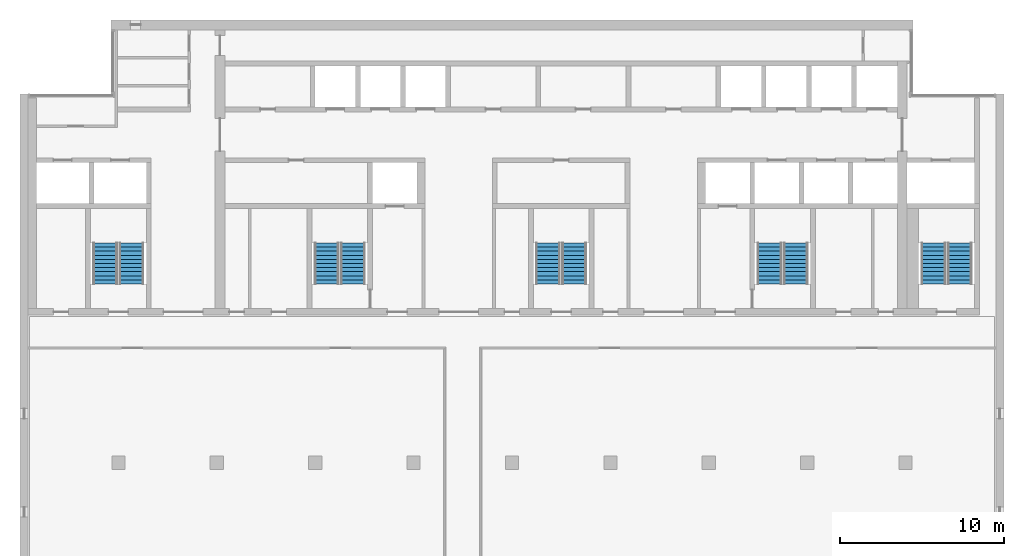
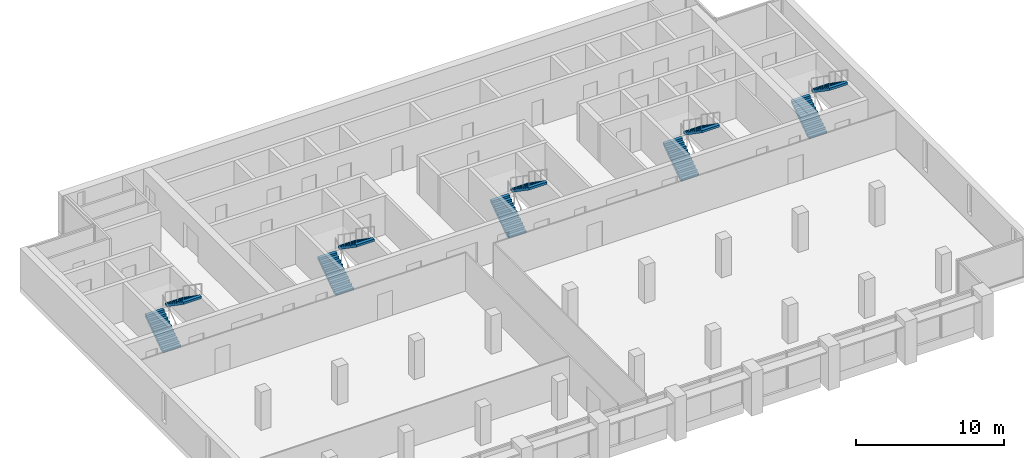
# One storey, part 12 of 14: 10 stair flights, 5 elements without a shape of their own.
"""IFC4 building model written with IfcOpenShell, lengths in metres."""

from ifc_helpers import new_model, si_unit, direction, frame, origin, place, context, subcontext, project, spatial, polyline, outline, extrude, material, type_object, element, aggregate, save


model = new_model("IFC4")

# Units and contexts
model_context = context("Model", 3, precision=1e-05, world=origin(), true_north=direction((0.0, 1.0)))
body_context = subcontext(model_context, "Body", "Model", "MODEL_VIEW")
ifc_project = project(units=[si_unit("LENGTHUNIT", "METRE"), si_unit("AREAUNIT", "SQUARE_METRE"), si_unit("VOLUMEUNIT", "CUBIC_METRE"), si_unit("PLANEANGLEUNIT", "RADIAN"), si_unit("MASSUNIT", "GRAM", prefix="KILO")], contexts=[model_context])

# Site, building, storey
site_placement = place(None, origin())
site = spatial("IfcSite", under=ifc_project, at=site_placement, CompositionType="ELEMENT")
building_placement = place(site_placement, origin())
building = spatial("IfcBuilding", under=site, at=building_placement, Name="Calvaro Tower", CompositionType="ELEMENT")
storey_placement = place(building_placement, frame((0.0, 0.0, 262.14990234375)))
storey = spatial("IfcBuildingStorey", under=building, at=storey_placement, Name="L66", CompositionType="ELEMENT", Elevation=262.14990234375)

# Stair, stair flights
ifc_material_1 = material(Name="Concrete C40/50", Category="concrete")
stair_type = type_object("IfcStairType", Name="Exit stair 1400 2 flights", PredefinedType="HALF_TURN_STAIR", material=ifc_material_1)
stair_1_placement = place(storey_placement, origin())
stair_1 = element("IfcStair", 1, at=stair_1_placement, inside=storey, type_object=stair_type, Name="Exit stair S1", PredefinedType="HALF_TURN_STAIR")
ifc_material_2 = material(Name="Concrete C40/50", Category="concrete")
stair_flight_type = type_object("IfcStairFlightType", Name="Stair flight", PredefinedType="STRAIGHT", material=ifc_material_2)
stair_flight_1_placement = place(storey_placement, frame((11.199951171875, 29.89990234375, 0.0), z_axis=(0.0, 0.0, 1.0), x_axis=(0.0, 1.0, 0.0)))
stair_flight_1 = element("IfcStairFlight", 2, at=stair_flight_1_placement, type_object=stair_flight_type, Name="Exit stair 1, flight 1", NumberOfRisers=11, NumberOfTreads=10, PredefinedType="STRAIGHT", RiserHeight=0.172727273, TreadLength=0.25, context=body_context, shape_type="SweptSolid", body=[
    extrude(outline(polyline([(0.0, 0.0), (0.0, 0.172607421875), (0.25, 0.172607421875), (0.25, 0.345458984375), (0.5, 0.345458984375), (0.5, 0.51806640625), (0.75, 0.51806640625), (0.75, 0.69091796875), (1.0, 0.69091796875), (1.0, 0.863525390625), (1.25, 0.863525390625), (1.25, 1.036376953125), (1.5, 1.036376953125), (1.5, 1.208984375), (1.75, 1.208984375), (1.75, 1.3818359375), (2.0, 1.3818359375), (2.0, 1.554443359375), (2.25, 1.554443359375), (2.25, 1.727294921875), (2.5, 1.727294921875), (2.5, 1.89990234375), (2.5, 1.545166015625), (0.263671875, 0.0), (0.0, 0.0)])), frame((0.0, 0.699951171875, 0.0), z_axis=(0.0, -1.0, 0.0), x_axis=(1.0, 0.0, 0.0)), (0.0, 0.0, 1.0), 1.39990234375),
])
stair_flight_2_placement = place(storey_placement, frame((12.800048828125, 32.39990234375, 1.900146484375), z_axis=(0.0, 0.0, 1.0), x_axis=(0.0, -1.0, 0.0)))
stair_flight_2 = element("IfcStairFlight", 3, at=stair_flight_2_placement, type_object=stair_flight_type, Name="Exit stair 1, flight 2", NumberOfRisers=11, NumberOfTreads=10, PredefinedType="STRAIGHT", RiserHeight=0.172727273, TreadLength=0.25, context=body_context, shape_type="SweptSolid", body=[
    extrude(outline(polyline([(0.0, 0.0), (0.0, 0.172607421875), (0.25, 0.172607421875), (0.25, 0.345458984375), (0.5, 0.345458984375), (0.5, 0.51806640625), (0.75, 0.51806640625), (0.75, 0.69091796875), (1.0, 0.69091796875), (1.0, 0.863525390625), (1.25, 0.863525390625), (1.25, 1.036376953125), (1.5, 1.036376953125), (1.5, 1.208984375), (1.75, 1.208984375), (1.75, 1.3818359375), (2.0, 1.3818359375), (2.0, 1.554443359375), (2.25, 1.554443359375), (2.25, 1.727294921875), (2.5, 1.727294921875), (2.5, 1.89990234375), (2.5, 1.545166015625), (0.263671875, 0.0), (0.0, 0.0)])), frame((0.0, 0.699951171875, 0.0), z_axis=(0.0, -1.0, 0.0), x_axis=(1.0, 0.0, 0.0)), (0.0, 0.0, 1.0), 1.39990234375),
])
aggregate(stair_1, [stair_flight_1, stair_flight_2])

stair_2_placement = place(storey_placement, origin())
stair_2 = element("IfcStair", 4, at=stair_2_placement, inside=storey, type_object=stair_type, Name="Exit stair S2", PredefinedType="HALF_TURN_STAIR")
stair_flight_3_placement = place(storey_placement, frame((24.699951171875, 29.89990234375, 0.0), z_axis=(0.0, 0.0, 1.0), x_axis=(0.0, 1.0, 0.0)))
stair_flight_3 = element("IfcStairFlight", 5, at=stair_flight_3_placement, type_object=stair_flight_type, Name="Exit stair 2, flight 1", NumberOfRisers=11, NumberOfTreads=10, PredefinedType="STRAIGHT", RiserHeight=0.172727273, TreadLength=0.25, context=body_context, shape_type="SweptSolid", body=[
    extrude(outline(polyline([(0.0, 0.0), (0.0, 0.172607421875), (0.25, 0.172607421875), (0.25, 0.345458984375), (0.5, 0.345458984375), (0.5, 0.51806640625), (0.75, 0.51806640625), (0.75, 0.69091796875), (1.0, 0.69091796875), (1.0, 0.863525390625), (1.25, 0.863525390625), (1.25, 1.036376953125), (1.5, 1.036376953125), (1.5, 1.208984375), (1.75, 1.208984375), (1.75, 1.3818359375), (2.0, 1.3818359375), (2.0, 1.554443359375), (2.25, 1.554443359375), (2.25, 1.727294921875), (2.5, 1.727294921875), (2.5, 1.89990234375), (2.5, 1.545166015625), (0.263671875, 0.0), (0.0, 0.0)])), frame((0.0, 0.699951171875, 0.0), z_axis=(0.0, -1.0, 0.0), x_axis=(1.0, 0.0, 0.0)), (0.0, 0.0, 1.0), 1.39990234375),
])
stair_flight_4_placement = place(storey_placement, frame((26.300048828125, 32.39990234375, 1.900146484375), z_axis=(0.0, 0.0, 1.0), x_axis=(0.0, -1.0, 0.0)))
stair_flight_4 = element("IfcStairFlight", 6, at=stair_flight_4_placement, type_object=stair_flight_type, Name="Exit stair 2, flight 2", NumberOfRisers=11, NumberOfTreads=10, PredefinedType="STRAIGHT", RiserHeight=0.172727273, TreadLength=0.25, context=body_context, shape_type="SweptSolid", body=[
    extrude(outline(polyline([(0.0, 0.0), (0.0, 0.172607421875), (0.25, 0.172607421875), (0.25, 0.345458984375), (0.5, 0.345458984375), (0.5, 0.51806640625), (0.75, 0.51806640625), (0.75, 0.69091796875), (1.0, 0.69091796875), (1.0, 0.863525390625), (1.25, 0.863525390625), (1.25, 1.036376953125), (1.5, 1.036376953125), (1.5, 1.208984375), (1.75, 1.208984375), (1.75, 1.3818359375), (2.0, 1.3818359375), (2.0, 1.554443359375), (2.25, 1.554443359375), (2.25, 1.727294921875), (2.5, 1.727294921875), (2.5, 1.89990234375), (2.5, 1.545166015625), (0.263671875, 0.0), (0.0, 0.0)])), frame((0.0, 0.699951171875, 0.0), z_axis=(0.0, -1.0, 0.0), x_axis=(1.0, 0.0, 0.0)), (0.0, 0.0, 1.0), 1.39990234375),
])
aggregate(stair_2, [stair_flight_3, stair_flight_4])

stair_3_placement = place(storey_placement, origin())
stair_3 = element("IfcStair", 7, at=stair_3_placement, inside=storey, type_object=stair_type, Name="Exit stair S3", PredefinedType="HALF_TURN_STAIR")
stair_flight_5_placement = place(storey_placement, frame((38.199951171875, 29.89990234375, 0.0), z_axis=(0.0, 0.0, 1.0), x_axis=(0.0, 1.0, 0.0)))
stair_flight_5 = element("IfcStairFlight", 8, at=stair_flight_5_placement, type_object=stair_flight_type, Name="Exit stair 3, flight 1", NumberOfRisers=11, NumberOfTreads=10, PredefinedType="STRAIGHT", RiserHeight=0.172727273, TreadLength=0.25, context=body_context, shape_type="SweptSolid", body=[
    extrude(outline(polyline([(0.0, 0.0), (0.0, 0.172607421875), (0.25, 0.172607421875), (0.25, 0.345458984375), (0.5, 0.345458984375), (0.5, 0.51806640625), (0.75, 0.51806640625), (0.75, 0.69091796875), (1.0, 0.69091796875), (1.0, 0.863525390625), (1.25, 0.863525390625), (1.25, 1.036376953125), (1.5, 1.036376953125), (1.5, 1.208984375), (1.75, 1.208984375), (1.75, 1.3818359375), (2.0, 1.3818359375), (2.0, 1.554443359375), (2.25, 1.554443359375), (2.25, 1.727294921875), (2.5, 1.727294921875), (2.5, 1.89990234375), (2.5, 1.545166015625), (0.263671875, 0.0), (0.0, 0.0)])), frame((0.0, 0.699951171875, 0.0), z_axis=(0.0, -1.0, 0.0), x_axis=(1.0, 0.0, 0.0)), (0.0, 0.0, 1.0), 1.39990234375),
])
stair_flight_6_placement = place(storey_placement, frame((39.800048828125, 32.39990234375, 1.900146484375), z_axis=(0.0, 0.0, 1.0), x_axis=(0.0, -1.0, 0.0)))
stair_flight_6 = element("IfcStairFlight", 9, at=stair_flight_6_placement, type_object=stair_flight_type, Name="Exit stair 3, flight 2", NumberOfRisers=11, NumberOfTreads=10, PredefinedType="STRAIGHT", RiserHeight=0.172727273, TreadLength=0.25, context=body_context, shape_type="SweptSolid", body=[
    extrude(outline(polyline([(0.0, 0.0), (0.0, 0.172607421875), (0.25, 0.172607421875), (0.25, 0.345458984375), (0.5, 0.345458984375), (0.5, 0.51806640625), (0.75, 0.51806640625), (0.75, 0.69091796875), (1.0, 0.69091796875), (1.0, 0.863525390625), (1.25, 0.863525390625), (1.25, 1.036376953125), (1.5, 1.036376953125), (1.5, 1.208984375), (1.75, 1.208984375), (1.75, 1.3818359375), (2.0, 1.3818359375), (2.0, 1.554443359375), (2.25, 1.554443359375), (2.25, 1.727294921875), (2.5, 1.727294921875), (2.5, 1.89990234375), (2.5, 1.545166015625), (0.263671875, 0.0), (0.0, 0.0)])), frame((0.0, 0.699951171875, 0.0), z_axis=(0.0, -1.0, 0.0), x_axis=(1.0, 0.0, 0.0)), (0.0, 0.0, 1.0), 1.39990234375),
])
aggregate(stair_3, [stair_flight_5, stair_flight_6])

stair_4_placement = place(storey_placement, origin())
stair_4 = element("IfcStair", 10, at=stair_4_placement, inside=storey, type_object=stair_type, Name="Exit stair S4", PredefinedType="HALF_TURN_STAIR")
stair_flight_7_placement = place(storey_placement, frame((51.699951171875, 29.89990234375, 0.0), z_axis=(0.0, 0.0, 1.0), x_axis=(0.0, 1.0, 0.0)))
stair_flight_7 = element("IfcStairFlight", 11, at=stair_flight_7_placement, type_object=stair_flight_type, Name="Exit stair 4, flight 1", NumberOfRisers=11, NumberOfTreads=10, PredefinedType="STRAIGHT", RiserHeight=0.172727273, TreadLength=0.25, context=body_context, shape_type="SweptSolid", body=[
    extrude(outline(polyline([(0.0, 0.0), (0.0, 0.172607421875), (0.25, 0.172607421875), (0.25, 0.345458984375), (0.5, 0.345458984375), (0.5, 0.51806640625), (0.75, 0.51806640625), (0.75, 0.69091796875), (1.0, 0.69091796875), (1.0, 0.863525390625), (1.25, 0.863525390625), (1.25, 1.036376953125), (1.5, 1.036376953125), (1.5, 1.208984375), (1.75, 1.208984375), (1.75, 1.3818359375), (2.0, 1.3818359375), (2.0, 1.554443359375), (2.25, 1.554443359375), (2.25, 1.727294921875), (2.5, 1.727294921875), (2.5, 1.89990234375), (2.5, 1.545166015625), (0.263671875, 0.0), (0.0, 0.0)])), frame((0.0, 0.699951171875, 0.0), z_axis=(0.0, -1.0, 0.0), x_axis=(1.0, 0.0, 0.0)), (0.0, 0.0, 1.0), 1.39990234375),
])
stair_flight_8_placement = place(storey_placement, frame((53.300048828125, 32.39990234375, 1.900146484375), z_axis=(0.0, 0.0, 1.0), x_axis=(0.0, -1.0, 0.0)))
stair_flight_8 = element("IfcStairFlight", 12, at=stair_flight_8_placement, type_object=stair_flight_type, Name="Exit stair 4, flight 2", NumberOfRisers=11, NumberOfTreads=10, PredefinedType="STRAIGHT", RiserHeight=0.172727273, TreadLength=0.25, context=body_context, shape_type="SweptSolid", body=[
    extrude(outline(polyline([(0.0, 0.0), (0.0, 0.172607421875), (0.25, 0.172607421875), (0.25, 0.345458984375), (0.5, 0.345458984375), (0.5, 0.51806640625), (0.75, 0.51806640625), (0.75, 0.69091796875), (1.0, 0.69091796875), (1.0, 0.863525390625), (1.25, 0.863525390625), (1.25, 1.036376953125), (1.5, 1.036376953125), (1.5, 1.208984375), (1.75, 1.208984375), (1.75, 1.3818359375), (2.0, 1.3818359375), (2.0, 1.554443359375), (2.25, 1.554443359375), (2.25, 1.727294921875), (2.5, 1.727294921875), (2.5, 1.89990234375), (2.5, 1.545166015625), (0.263671875, 0.0), (0.0, 0.0)])), frame((0.0, 0.699951171875, 0.0), z_axis=(0.0, -1.0, 0.0), x_axis=(1.0, 0.0, 0.0)), (0.0, 0.0, 1.0), 1.39990234375),
])
aggregate(stair_4, [stair_flight_7, stair_flight_8])

stair_5_placement = place(storey_placement, origin())
stair_5 = element("IfcStair", 13, at=stair_5_placement, inside=storey, type_object=stair_type, Name="Exit stair S5", PredefinedType="HALF_TURN_STAIR")
stair_flight_9_placement = place(storey_placement, frame((61.699951171875, 29.89990234375, 0.0), z_axis=(0.0, 0.0, 1.0), x_axis=(0.0, 1.0, 0.0)))
stair_flight_9 = element("IfcStairFlight", 14, at=stair_flight_9_placement, type_object=stair_flight_type, Name="Exit stair 5, flight 1", NumberOfRisers=11, NumberOfTreads=10, PredefinedType="STRAIGHT", RiserHeight=0.172727273, TreadLength=0.25, context=body_context, shape_type="SweptSolid", body=[
    extrude(outline(polyline([(0.0, 0.0), (0.0, 0.172607421875), (0.25, 0.172607421875), (0.25, 0.345458984375), (0.5, 0.345458984375), (0.5, 0.51806640625), (0.75, 0.51806640625), (0.75, 0.69091796875), (1.0, 0.69091796875), (1.0, 0.863525390625), (1.25, 0.863525390625), (1.25, 1.036376953125), (1.5, 1.036376953125), (1.5, 1.208984375), (1.75, 1.208984375), (1.75, 1.3818359375), (2.0, 1.3818359375), (2.0, 1.554443359375), (2.25, 1.554443359375), (2.25, 1.727294921875), (2.5, 1.727294921875), (2.5, 1.89990234375), (2.5, 1.545166015625), (0.263671875, 0.0), (0.0, 0.0)])), frame((0.0, 0.699951171875, 0.0), z_axis=(0.0, -1.0, 0.0), x_axis=(1.0, 0.0, 0.0)), (0.0, 0.0, 1.0), 1.39990234375),
])
stair_flight_10_placement = place(storey_placement, frame((63.300048828125, 32.39990234375, 1.900146484375), z_axis=(0.0, 0.0, 1.0), x_axis=(0.0, -1.0, 0.0)))
stair_flight_10 = element("IfcStairFlight", 15, at=stair_flight_10_placement, type_object=stair_flight_type, Name="Exit stair 5, flight 2", NumberOfRisers=11, NumberOfTreads=10, PredefinedType="STRAIGHT", RiserHeight=0.172727273, TreadLength=0.25, context=body_context, shape_type="SweptSolid", body=[
    extrude(outline(polyline([(0.0, 0.0), (0.0, 0.172607421875), (0.25, 0.172607421875), (0.25, 0.345458984375), (0.5, 0.345458984375), (0.5, 0.51806640625), (0.75, 0.51806640625), (0.75, 0.69091796875), (1.0, 0.69091796875), (1.0, 0.863525390625), (1.25, 0.863525390625), (1.25, 1.036376953125), (1.5, 1.036376953125), (1.5, 1.208984375), (1.75, 1.208984375), (1.75, 1.3818359375), (2.0, 1.3818359375), (2.0, 1.554443359375), (2.25, 1.554443359375), (2.25, 1.727294921875), (2.5, 1.727294921875), (2.5, 1.89990234375), (2.5, 1.545166015625), (0.263671875, 0.0), (0.0, 0.0)])), frame((0.0, 0.699951171875, 0.0), z_axis=(0.0, -1.0, 0.0), x_axis=(1.0, 0.0, 0.0)), (0.0, 0.0, 1.0), 1.39990234375),
])
aggregate(stair_5, [stair_flight_9, stair_flight_10])

save(model, "model.ifc")
